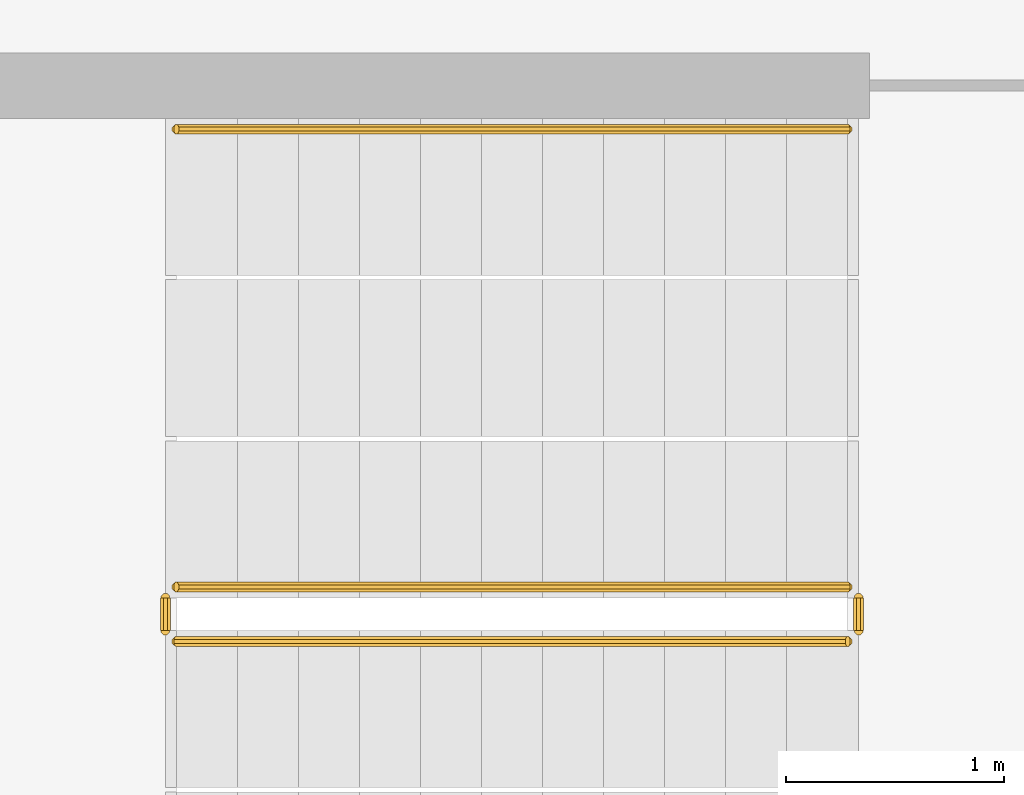
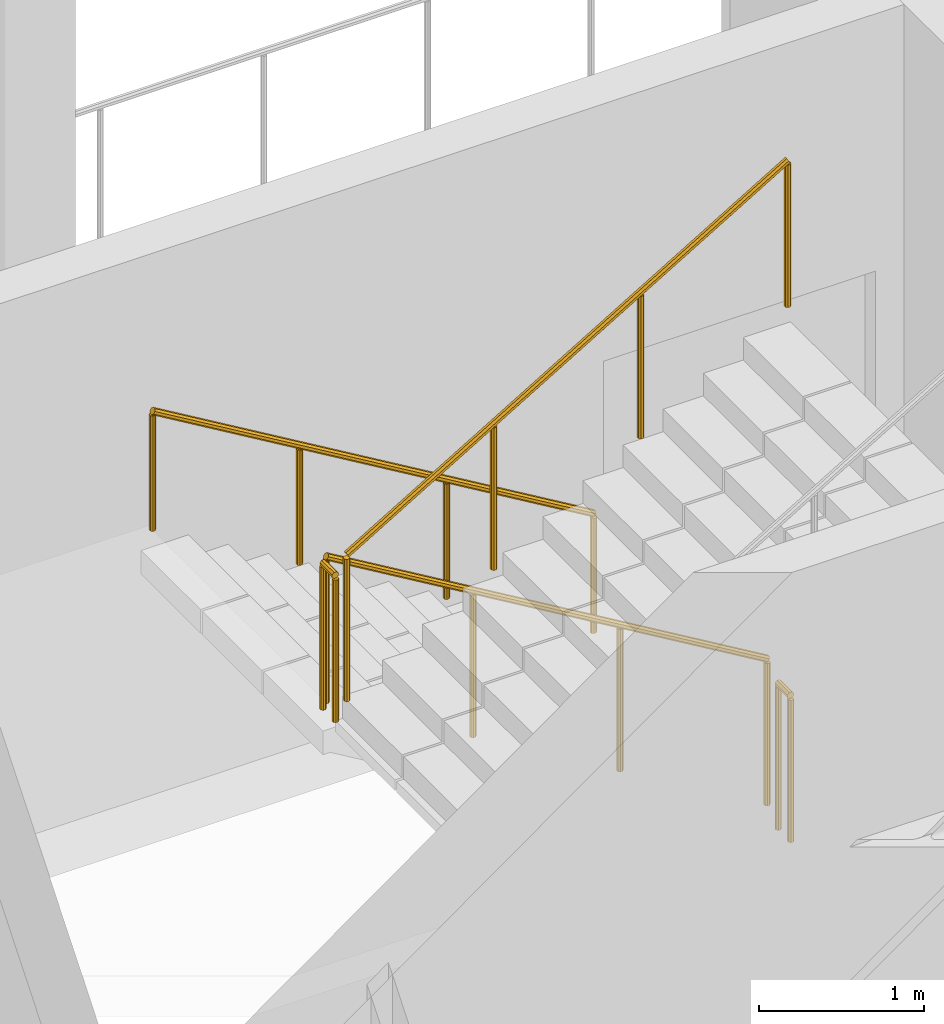
# One storey, part 20 of 28: 5 railings.
"""IFC4 building model written with IfcOpenShell, lengths in metres."""

from ifc_helpers import new_model, si_unit, direction, frame, origin, place, context, subcontext, project, spatial, polyline, outline, extrude, material, type_object, element, save


model = new_model("IFC4")

# Units and contexts
model_context = context("Model", 3, precision=1e-05, world=origin(), true_north=direction((0.0, 1.0)))
body_context = subcontext(model_context, "Body", "Model", "MODEL_VIEW")
ifc_project = project(units=[si_unit("LENGTHUNIT", "METRE"), si_unit("AREAUNIT", "SQUARE_METRE"), si_unit("VOLUMEUNIT", "CUBIC_METRE"), si_unit("PLANEANGLEUNIT", "RADIAN"), si_unit("MASSUNIT", "GRAM", prefix="KILO")], contexts=[model_context])

# Site, building, storey
site_placement = place(None, origin())
site = spatial("IfcSite", under=ifc_project, at=site_placement, CompositionType="ELEMENT")
building_placement = place(site_placement, origin())
building = spatial("IfcBuilding", under=site, at=building_placement, Name="Cormorant Relay Tower", CompositionType="ELEMENT")
storey_placement = place(building_placement, frame((0.0, 0.0, 150.199951171875)))
storey = spatial("IfcBuildingStorey", under=building, at=storey_placement, Name="L31", CompositionType="ELEMENT", Elevation=150.199951171875)

# Railings
ifc_material_1 = material(Name="Steel ASTM A572 Grade 50 (Fy 345 MPa)", Category="steel")
railing_type_1 = type_object("IfcRailingType", Name="Stair guard 1100", PredefinedType="GUARDRAIL", material=ifc_material_1)
railing_1_placement = place(storey_placement, frame((1.60009765625, -18.27490234375, 0.166748046875)))
element("IfcRailing", 1, at=railing_1_placement, inside=storey, type_object=railing_type_1, Name="L31 RK1 stair guard 1", PredefinedType="GUARDRAIL", context=body_context, shape_type="SweptSolid", body=[
    extrude(outline(polyline([(0.022216796875, 0.00927734375), (0.00927734375, 0.022216796875), (-0.00927734375, 0.022216796875), (-0.022216796875, 0.00927734375), (-0.022216796875, -0.00927734375), (-0.00927734375, -0.022216796875), (0.00927734375, -0.022216796875), (0.022216796875, -0.00927734375), (0.022216796875, 0.00927734375)])), frame((0.0, 0.0, 1.076171875), z_axis=(-0.859308565015, 0.0, 0.511457515432), x_axis=(0.0, -1.0, 0.0)), (0.0, 0.0, 1.0), 3.58447265625),
    extrude(outline(polyline([(0.019287109375, 0.008056640625), (0.008056640625, 0.019287109375), (-0.008056640625, 0.019287109375), (-0.019287109375, 0.008056640625), (-0.019287109375, -0.008056640625), (-0.008056640625, -0.019287109375), (0.008056640625, -0.019287109375), (0.019287109375, -0.008056640625), (0.019287109375, 0.008056640625)])), origin(), (0.0, 0.0, 1.0), 1.052001953125),
    extrude(outline(polyline([(0.019287109375, 0.008056640625), (0.008056640625, 0.019287109375), (-0.008056640625, 0.019287109375), (-0.019287109375, 0.008056640625), (-0.019287109375, -0.008056640625), (-0.008056640625, -0.019287109375), (0.008056640625, -0.019287109375), (0.019287109375, -0.008056640625), (0.019287109375, 0.008056640625)])), frame((-1.026611328125, 0.0, 0.611083984375)), (0.0, 0.0, 1.0), 1.052001953125),
    extrude(outline(polyline([(0.019287109375, 0.008056640625), (0.008056640625, 0.019287109375), (-0.008056640625, 0.019287109375), (-0.019287109375, 0.008056640625), (-0.019287109375, -0.008056640625), (-0.008056640625, -0.019287109375), (0.008056640625, -0.019287109375), (0.019287109375, -0.008056640625), (0.019287109375, 0.008056640625)])), frame((-2.053466796875, 0.0, 1.22216796875)), (0.0, 0.0, 1.0), 1.052001953125),
    extrude(outline(polyline([(0.019287109375, 0.008056640625), (0.008056640625, 0.019287109375), (-0.008056640625, 0.019287109375), (-0.019287109375, 0.008056640625), (-0.019287109375, -0.008056640625), (-0.008056640625, -0.019287109375), (0.008056640625, -0.019287109375), (0.019287109375, -0.008056640625), (0.019287109375, 0.008056640625)])), frame((-3.080078125, 0.0, 1.833251953125)), (0.0, 0.0, 1.0), 1.052001953125),
])
railing_2_placement = place(storey_placement, frame((-1.530029296875, -18.324951171875, 2.0)))
element("IfcRailing", 2, at=railing_2_placement, inside=storey, type_object=railing_type_1, Name="L31 RK1 stair guard 2", PredefinedType="GUARDRAIL", context=body_context, shape_type="SweptSolid", body=[
    extrude(outline(polyline([(0.022216796875, 0.00927734375), (0.00927734375, 0.022216796875), (-0.00927734375, 0.022216796875), (-0.022216796875, 0.00927734375), (-0.022216796875, -0.00927734375), (-0.00927734375, -0.022216796875), (0.00927734375, -0.022216796875), (0.022216796875, -0.00927734375), (0.022216796875, 0.00927734375)])), frame((0.0, 0.0, 1.076171875), z_axis=(0.0, -1.0, 0.0), x_axis=(1.0, 0.0, 0.0)), (0.0, 0.0, 1.0), 0.150146484375),
    extrude(outline(polyline([(0.019287109375, 0.008056640625), (0.008056640625, 0.019287109375), (-0.008056640625, 0.019287109375), (-0.019287109375, 0.008056640625), (-0.019287109375, -0.008056640625), (-0.008056640625, -0.019287109375), (0.008056640625, -0.019287109375), (0.019287109375, -0.008056640625), (0.019287109375, 0.008056640625)])), origin(), (0.0, 0.0, 1.0), 1.052001953125),
    extrude(outline(polyline([(0.019287109375, 0.008056640625), (0.008056640625, 0.019287109375), (-0.008056640625, 0.019287109375), (-0.019287109375, 0.008056640625), (-0.019287109375, -0.008056640625), (-0.008056640625, -0.019287109375), (0.008056640625, -0.019287109375), (0.019287109375, -0.008056640625), (0.019287109375, 0.008056640625)])), frame((0.0, -0.150146484375, 0.0)), (0.0, 0.0, 1.0), 1.052001953125),
])
railing_3_placement = place(storey_placement, frame((-1.47998046875, -18.52490234375, 2.166748046875)))
element("IfcRailing", 3, at=railing_3_placement, inside=storey, type_object=railing_type_1, Name="L31 RK1 stair guard 3", PredefinedType="GUARDRAIL", context=body_context, shape_type="SweptSolid", body=[
    extrude(outline(polyline([(0.022216796875, 0.00927734375), (0.00927734375, 0.022216796875), (-0.00927734375, 0.022216796875), (-0.022216796875, 0.00927734375), (-0.022216796875, -0.00927734375), (-0.00927734375, -0.022216796875), (0.00927734375, -0.022216796875), (0.022216796875, -0.00927734375), (0.022216796875, 0.00927734375)])), frame((0.0, 0.0, 1.076171875), z_axis=(0.859308565015, 0.0, 0.511457515432), x_axis=(0.0, 1.0, 0.0)), (0.0, 0.0, 1.0), 3.58447265625),
    extrude(outline(polyline([(0.019287109375, 0.008056640625), (0.008056640625, 0.019287109375), (-0.008056640625, 0.019287109375), (-0.019287109375, 0.008056640625), (-0.019287109375, -0.008056640625), (-0.008056640625, -0.019287109375), (0.008056640625, -0.019287109375), (0.019287109375, -0.008056640625), (0.019287109375, 0.008056640625)])), origin(), (0.0, 0.0, 1.0), 1.052001953125),
    extrude(outline(polyline([(0.019287109375, 0.008056640625), (0.008056640625, 0.019287109375), (-0.008056640625, 0.019287109375), (-0.019287109375, 0.008056640625), (-0.019287109375, -0.008056640625), (-0.008056640625, -0.019287109375), (0.008056640625, -0.019287109375), (0.019287109375, -0.008056640625), (0.019287109375, 0.008056640625)])), frame((1.026611328125, 0.0, 0.611083984375)), (0.0, 0.0, 1.0), 1.052001953125),
    extrude(outline(polyline([(0.019287109375, 0.008056640625), (0.008056640625, 0.019287109375), (-0.008056640625, 0.019287109375), (-0.019287109375, 0.008056640625), (-0.019287109375, -0.008056640625), (-0.008056640625, -0.019287109375), (0.008056640625, -0.019287109375), (0.019287109375, -0.008056640625), (0.019287109375, 0.008056640625)])), frame((2.053466796875, 0.0, 1.22216796875)), (0.0, 0.0, 1.0), 1.052001953125),
    extrude(outline(polyline([(0.019287109375, 0.008056640625), (0.008056640625, 0.019287109375), (-0.008056640625, 0.019287109375), (-0.019287109375, 0.008056640625), (-0.019287109375, -0.008056640625), (-0.008056640625, -0.019287109375), (0.008056640625, -0.019287109375), (0.019287109375, -0.008056640625), (0.019287109375, 0.008056640625)])), frame((3.080078125, 0.0, 1.833251953125)), (0.0, 0.0, 1.0), 1.052001953125),
])
railing_4_placement = place(storey_placement, frame((1.64990234375, -18.324951171875, 0.0)))
element("IfcRailing", 4, at=railing_4_placement, inside=storey, type_object=railing_type_1, Name="L31 RK1 stair guard 4", PredefinedType="GUARDRAIL", context=body_context, shape_type="SweptSolid", body=[
    extrude(outline(polyline([(0.022216796875, 0.00927734375), (0.00927734375, 0.022216796875), (-0.00927734375, 0.022216796875), (-0.022216796875, 0.00927734375), (-0.022216796875, -0.00927734375), (-0.00927734375, -0.022216796875), (0.00927734375, -0.022216796875), (0.022216796875, -0.00927734375), (0.022216796875, 0.00927734375)])), frame((0.0, 0.0, 1.076171875), z_axis=(0.0, -1.0, 0.0), x_axis=(1.0, 0.0, 0.0)), (0.0, 0.0, 1.0), 0.150146484375),
    extrude(outline(polyline([(0.019287109375, 0.008056640625), (0.008056640625, 0.019287109375), (-0.008056640625, 0.019287109375), (-0.019287109375, 0.008056640625), (-0.019287109375, -0.008056640625), (-0.008056640625, -0.019287109375), (0.008056640625, -0.019287109375), (0.019287109375, -0.008056640625), (0.019287109375, 0.008056640625)])), origin(), (0.0, 0.0, 1.0), 1.052001953125),
    extrude(outline(polyline([(0.019287109375, 0.008056640625), (0.008056640625, 0.019287109375), (-0.008056640625, 0.019287109375), (-0.019287109375, 0.008056640625), (-0.019287109375, -0.008056640625), (-0.008056640625, -0.019287109375), (0.008056640625, -0.019287109375), (0.019287109375, -0.008056640625), (0.019287109375, 0.008056640625)])), frame((0.0, -0.150146484375, 0.0)), (0.0, 0.0, 1.0), 1.052001953125),
])
ifc_material_2 = material(Name="Steel ASTM A572 Grade 50 (Fy 345 MPa)", Category="steel")
railing_type_2 = type_object("IfcRailingType", Name="Stair handrail 900", PredefinedType="HANDRAIL", material=ifc_material_2)
railing_5_placement = place(storey_placement, frame((1.60009765625, -16.175048828125, 0.166748046875)))
element("IfcRailing", 5, at=railing_5_placement, inside=storey, type_object=railing_type_2, Name="L31 RK1 stair handrail 1", PredefinedType="HANDRAIL", context=body_context, shape_type="SweptSolid", body=[
    extrude(outline(polyline([(0.022216796875, 0.00927734375), (0.00927734375, 0.022216796875), (-0.00927734375, 0.022216796875), (-0.022216796875, 0.00927734375), (-0.022216796875, -0.00927734375), (-0.00927734375, -0.022216796875), (0.00927734375, -0.022216796875), (0.022216796875, -0.00927734375), (0.022216796875, 0.00927734375)])), frame((0.0, 0.0, 0.8759765625), z_axis=(-0.859308565015, 0.0, 0.511457515432), x_axis=(0.0, -1.0, 0.0)), (0.0, 0.0, 1.0), 3.58447265625),
    extrude(outline(polyline([(0.019287109375, 0.008056640625), (0.008056640625, 0.019287109375), (-0.008056640625, 0.019287109375), (-0.019287109375, 0.008056640625), (-0.019287109375, -0.008056640625), (-0.008056640625, -0.019287109375), (0.008056640625, -0.019287109375), (0.019287109375, -0.008056640625), (0.019287109375, 0.008056640625)])), origin(), (0.0, 0.0, 1.0), 0.851806640625),
    extrude(outline(polyline([(0.019287109375, 0.008056640625), (0.008056640625, 0.019287109375), (-0.008056640625, 0.019287109375), (-0.019287109375, 0.008056640625), (-0.019287109375, -0.008056640625), (-0.008056640625, -0.019287109375), (0.008056640625, -0.019287109375), (0.019287109375, -0.008056640625), (0.019287109375, 0.008056640625)])), frame((-1.026611328125, 0.0, 0.611083984375)), (0.0, 0.0, 1.0), 0.851806640625),
    extrude(outline(polyline([(0.019287109375, 0.008056640625), (0.008056640625, 0.019287109375), (-0.008056640625, 0.019287109375), (-0.019287109375, 0.008056640625), (-0.019287109375, -0.008056640625), (-0.008056640625, -0.019287109375), (0.008056640625, -0.019287109375), (0.019287109375, -0.008056640625), (0.019287109375, 0.008056640625)])), frame((-2.053466796875, 0.0, 1.22216796875)), (0.0, 0.0, 1.0), 0.851806640625),
    extrude(outline(polyline([(0.019287109375, 0.008056640625), (0.008056640625, 0.019287109375), (-0.008056640625, 0.019287109375), (-0.019287109375, 0.008056640625), (-0.019287109375, -0.008056640625), (-0.008056640625, -0.019287109375), (0.008056640625, -0.019287109375), (0.019287109375, -0.008056640625), (0.019287109375, 0.008056640625)])), frame((-3.080078125, 0.0, 1.833251953125)), (0.0, 0.0, 1.0), 0.851806640625),
])

save(model, "model.ifc")
